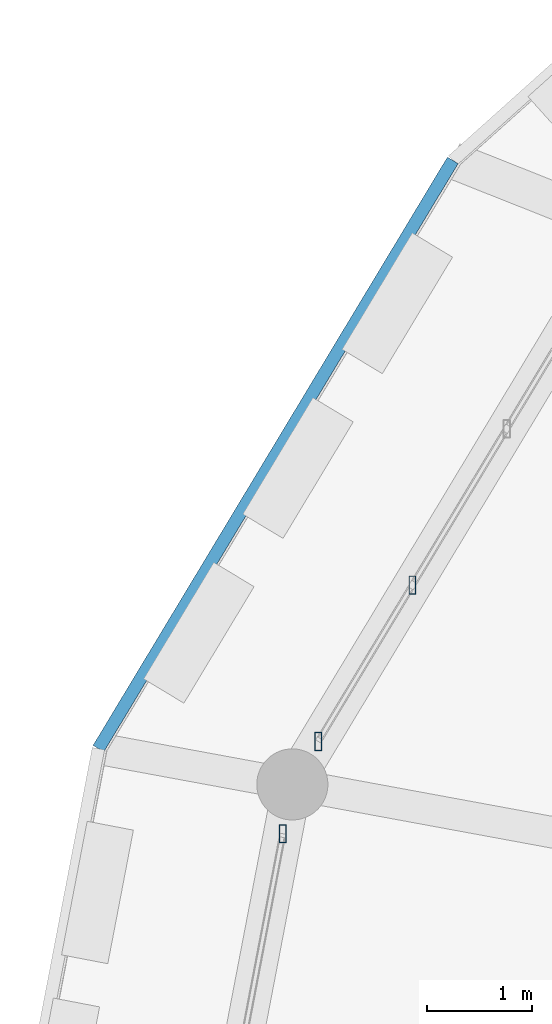
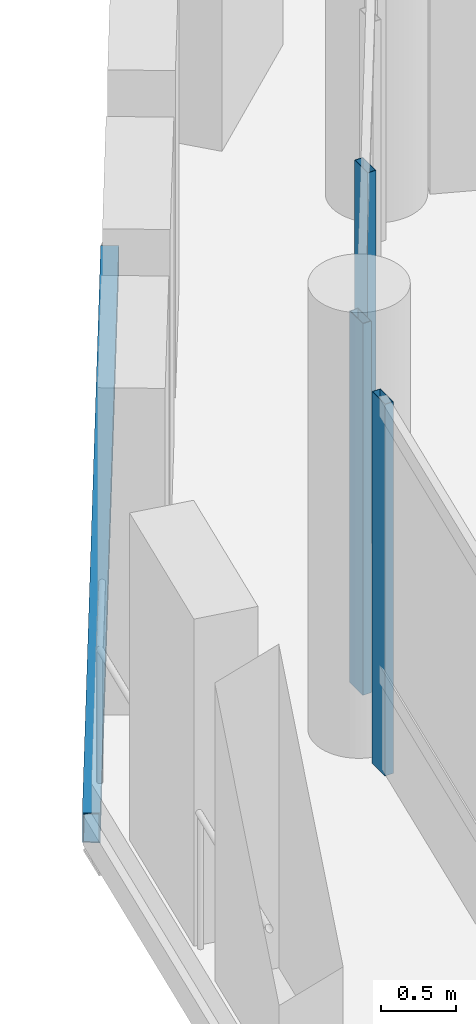
# One storey, part 62 of 128: 3 members, 1 beam, 2 elements without a shape of their own.
"""IFC4 building model written with IfcOpenShell, lengths in metres."""

from ifc_helpers import new_model, si_unit, direction, frame, origin, origin_2d, place, context, subcontext, project, spatial, hollow_rectangle, extrude, material, material_profile, profile_set, type_object, element, aggregate, save


model = new_model("IFC4")

# Units and contexts
model_context = context("Model", 3, precision=1e-05, world=origin(), true_north=direction((0.0, 1.0)))
body_context = subcontext(model_context, "Body", "Model", "MODEL_VIEW")
ifc_project = project(units=[si_unit("LENGTHUNIT", "METRE"), si_unit("AREAUNIT", "SQUARE_METRE"), si_unit("VOLUMEUNIT", "CUBIC_METRE"), si_unit("PLANEANGLEUNIT", "RADIAN"), si_unit("MASSUNIT", "GRAM", prefix="KILO")], contexts=[model_context])

# Site, building, storey
site_placement = place(None, origin())
site = spatial("IfcSite", under=ifc_project, at=site_placement, CompositionType="ELEMENT")
building_placement = place(site_placement, origin())
building = spatial("IfcBuilding", under=site, at=building_placement, Name="Zornivar Specialist Clinic", CompositionType="ELEMENT")
storey_placement = place(building_placement, frame((0.0, 0.0, 4.5)))
storey = spatial("IfcBuildingStorey", under=building, at=storey_placement, Name="L01", CompositionType="ELEMENT", Elevation=4.5)

# Beam
ifc_material_1 = material(Name="Steel S355J2", Category="steel")
ifc_material_profile_1 = material_profile(ifc_material_1, hollow_rectangle(XDim=0.1201171875, YDim=0.239990234375, WallThickness=0.008056640625, at=origin_2d()), Name="RHS 240x120x8")
ifc_profile_set_1 = profile_set([ifc_material_profile_1], Name="Steel S355J2")
beam_type = type_object("IfcBeamType", Name="BM-STL-RHS240", PredefinedType="JOIST", material=ifc_profile_set_1)
beam_placement = place(storey_placement, frame((64.22412109375, 69.260009765625, -0.360107421875), z_axis=(-0.516036958114, -0.856566318425, 0.0), x_axis=(0.856566318425, -0.516036958114, 0.0)))
element("IfcBeam", 1, at=beam_placement, inside=storey, type_object=beam_type, Name="bm:V1:L01:balring:10", PredefinedType="JOIST", context=body_context, shape_type="SweptSolid", body=[
    extrude(hollow_rectangle(XDim=0.1201171875, YDim=0.239990234375, WallThickness=0.008056640625, at=origin_2d()), origin(), (0.0, 0.0, 1.0), 6.565673828125),
])

# Curtain wall, members
ifc_material_2 = material(Name="Aluminium and Low-E Glass Curtain Wall", Category="aluminium")
curtain_wall_type = type_object("IfcCurtainWallType", Name="CW-DRUM-FACET", PredefinedType="NOTDEFINED", material=ifc_material_2)
curtain_wall_1_placement = place(storey_placement, origin())
curtain_wall_1 = element("IfcCurtainWall", 2, at=curtain_wall_1_placement, inside=storey, type_object=curtain_wall_type, Name="cw:V1:L01:c10", PredefinedType="NOTDEFINED")
ifc_material_3 = material(Name="Aluminium AW-6060", Category="aluminium")
ifc_material_profile_2 = material_profile(ifc_material_3, hollow_rectangle(XDim=0.06494140625, YDim=0.175048828125, WallThickness=0.00439453125, at=origin_2d()), Name="ALU 65x175x4.5")
ifc_profile_set_2 = profile_set([ifc_material_profile_2], Name="Aluminium AW-6060")
member_type = type_object("IfcMemberType", Name="CWM-MUL-175", PredefinedType="MULLION", material=ifc_profile_set_2)
member_1_placement = place(storey_placement, frame((63.837890625, 65.198974609375, 0.0), z_axis=(0.0, 0.0, 1.0), x_axis=(1.0, 0.0, 0.0)))
member_1 = element("IfcMember", 3, at=member_1_placement, type_object=member_type, Name="cw:V1:L01:c10:mul:2", PredefinedType="MULLION", context=body_context, shape_type="SweptSolid", body=[
    extrude(hollow_rectangle(XDim=0.06494140625, YDim=0.175048828125, WallThickness=0.00439453125, at=origin_2d()), origin(), (0.0, 0.0, 1.0), 3.010009765625),
])
member_2_placement = place(storey_placement, frame((62.93798828125, 63.705078125, 0.0), z_axis=(0.0, 0.0, 1.0), x_axis=(1.0, 0.0, 0.0)))
member_2 = element("IfcMember", 4, at=member_2_placement, type_object=member_type, Name="cw:V1:L01:c10:mul:3", PredefinedType="MULLION", context=body_context, shape_type="SweptSolid", body=[
    extrude(hollow_rectangle(XDim=0.06494140625, YDim=0.175048828125, WallThickness=0.00439453125, at=origin_2d()), origin(), (0.0, 0.0, 1.0), 3.010009765625),
])
aggregate(curtain_wall_1, [member_1, member_2])

# Curtain wall, member
curtain_wall_2_placement = place(storey_placement, origin())
curtain_wall_2 = element("IfcCurtainWall", 5, at=curtain_wall_2_placement, inside=storey, type_object=curtain_wall_type, Name="cw:V1:L01:c11", PredefinedType="NOTDEFINED")
member_3_placement = place(storey_placement, frame((62.59912109375, 62.822998046875, 0.0), z_axis=(0.0, 0.0, 1.0), x_axis=(1.0, 0.0, 0.0)))
member_3 = element("IfcMember", 6, at=member_3_placement, type_object=member_type, Name="cw:V1:L01:c11:mul:0", PredefinedType="MULLION", context=body_context, shape_type="SweptSolid", body=[
    extrude(hollow_rectangle(XDim=0.06494140625, YDim=0.175048828125, WallThickness=0.00439453125, at=origin_2d()), origin(), (0.0, 0.0, 1.0), 3.010009765625),
])
aggregate(curtain_wall_2, [member_3])

save(model, "model.ifc")
